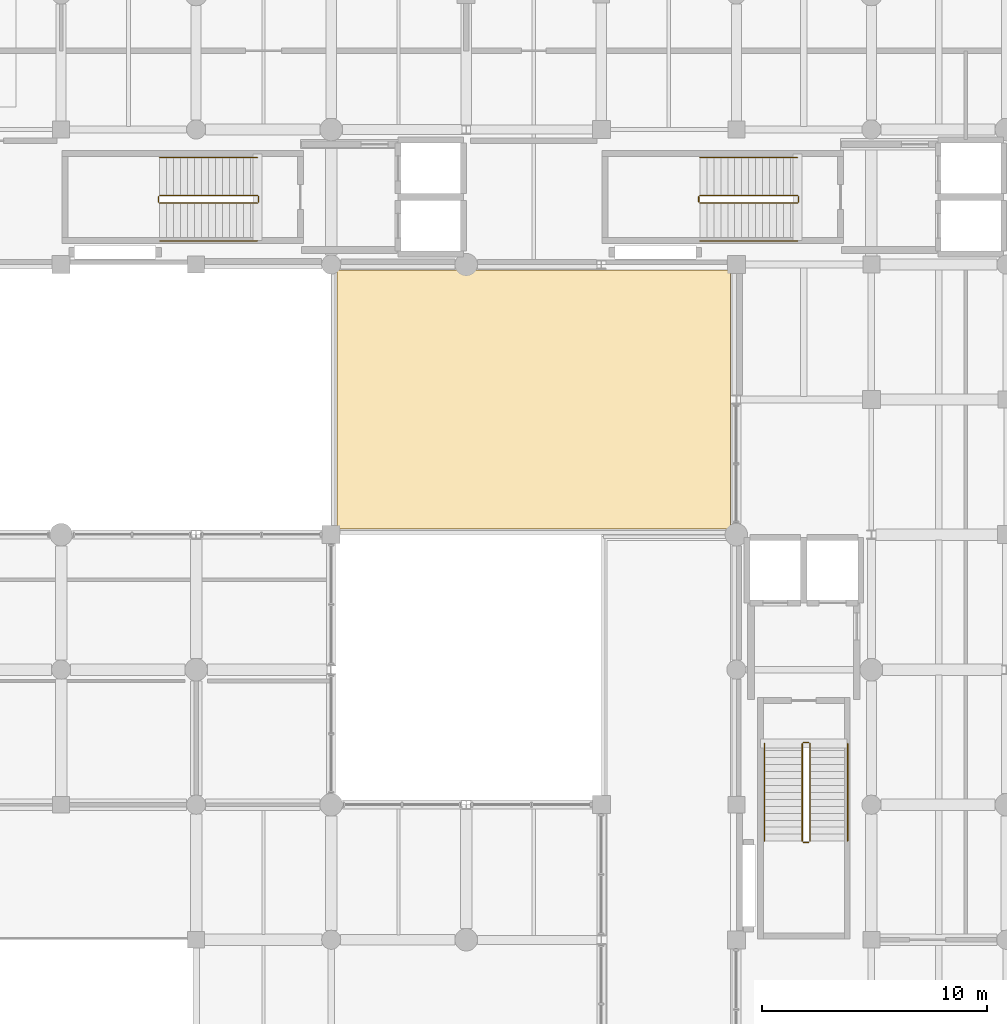
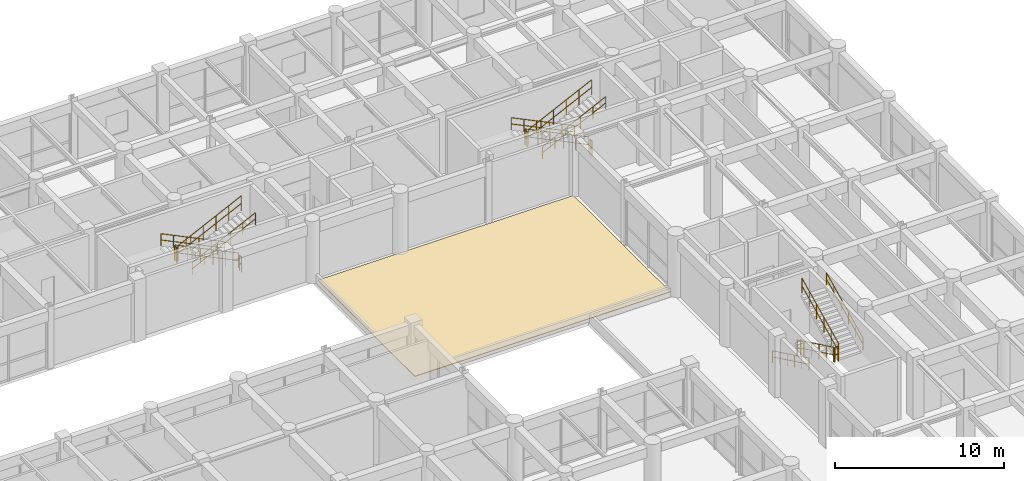
# One storey, part 133 of 133: 18 railings, 1 covering.
"""IFC4 building model written with IfcOpenShell, lengths in metres."""

from ifc_helpers import new_model, si_unit, direction, frame, origin, origin_2d, place, context, subcontext, project, spatial, polyline, circle, outline, extrude, material, layer, layer_set, type_object, element, save


model = new_model("IFC4")

# Units and contexts
model_context = context("Model", 3, precision=1e-05, world=origin(), true_north=direction((0.0, 1.0)))
body_context = subcontext(model_context, "Body", "Model", "MODEL_VIEW")
ifc_project = project(units=[si_unit("LENGTHUNIT", "METRE"), si_unit("AREAUNIT", "SQUARE_METRE"), si_unit("VOLUMEUNIT", "CUBIC_METRE"), si_unit("PLANEANGLEUNIT", "RADIAN"), si_unit("MASSUNIT", "GRAM", prefix="KILO"), si_unit("THERMODYNAMICTEMPERATUREUNIT", "KELVIN"), si_unit("POWERUNIT", "WATT")], contexts=[model_context])

# Site, building, storey
site_placement = place(None, origin())
site = spatial("IfcSite", under=ifc_project, at=site_placement, CompositionType="ELEMENT")
building_placement = place(site_placement, origin())
building = spatial("IfcBuilding", under=site, at=building_placement, Name="Phaisarnlok Congress Hotel", CompositionType="ELEMENT")
storey_placement = place(building_placement, frame((0.0, 0.0, 6.0)))
storey = spatial("IfcBuildingStorey", under=building, at=storey_placement, Name="L01", CompositionType="ELEMENT", Elevation=6.0)

# Covering
ifc_material_1 = material(Name="TPO Waterproofing Membrane & Rigid PIR Insulation", Category="other")
ifc_layer = layer(ifc_material_1, 0.050048828125, Name="TPO Waterproofing Membrane & Rigid PIR Insulation")
ifc_layer_set = layer_set([ifc_layer], Name="TPO Waterproofing Membrane & Rigid PIR Insulation")
covering_type = type_object("IfcCoveringType", Name="COV-ROOF-MEMB", PredefinedType="ROOFING", material=ifc_layer_set)
covering_placement = place(storey_placement, origin())
element("IfcCovering", 1, at=covering_placement, inside=storey, type_object=covering_type, Name="Podium roof waterproofing membrane RF-01 (L01 pod_lobby_ne)", PredefinedType="ROOFING", context=body_context, shape_type="SweptSolid", body=[
    extrude(outline(polyline([(144.25, 96.25), (161.75, 96.25), (161.75, 107.75), (144.25, 107.75), (144.25, 96.25)])), origin(), (0.0, 0.0, 1.0), 0.050048828125),
])

# Railings
ifc_material_2 = material(Name="Painted Galvanised Steel S275", Category="steel")
railing_type_1 = type_object("IfcRailingType", Name="RLG-STR-GUARD", PredefinedType="BALUSTRADE", material=ifc_material_2)
railing_1_placement = place(storey_placement, frame((164.719970703125, 111.070068359375, 0.14990234375)))
element("IfcRailing", 2, at=railing_1_placement, inside=storey, type_object=railing_type_1, Name="L01 ST-05 stair guard 1", PredefinedType="BALUSTRADE", context=body_context, shape_type="SweptSolid", body=[
    extrude(circle(Radius=0.02392578125, at=origin_2d()), frame((0.0, 0.0, 1.076171875), z_axis=(-0.900154768424, 0.0, 0.435570192832), x_axis=(0.0, -1.0, 0.0)), (0.0, 0.0, 1.0), 4.821533203125),
    extrude(circle(Radius=0.02392578125, at=origin_2d()), frame((0.0, 0.0, 0.52587890625), z_axis=(-0.900154768424, 0.0, 0.435570192832), x_axis=(0.0, -1.0, 0.0)), (0.0, 0.0, 1.0), 4.821533203125),
    extrude(circle(Radius=0.02099609375, at=origin_2d()), origin(), (0.0, 0.0, 1.0), 1.052001953125),
    extrude(circle(Radius=0.02099609375, at=origin_2d()), frame((-0.867919921875, 0.0, 0.419921875)), (0.0, 0.0, 1.0), 1.052001953125),
    extrude(circle(Radius=0.02099609375, at=origin_2d()), frame((-1.736083984375, 0.0, 0.840087890625)), (0.0, 0.0, 1.0), 1.052001953125),
    extrude(circle(Radius=0.02099609375, at=origin_2d()), frame((-2.60400390625, 0.0, 1.260009765625)), (0.0, 0.0, 1.0), 1.052001953125),
    extrude(circle(Radius=0.02099609375, at=origin_2d()), frame((-3.47216796875, 0.0, 1.68017578125)), (0.0, 0.0, 1.0), 1.052001953125),
    extrude(circle(Radius=0.02099609375, at=origin_2d()), frame((-4.340087890625, 0.0, 2.10009765625)), (0.0, 0.0, 1.0), 1.052001953125),
])
railing_2_placement = place(storey_placement, frame((160.330078125, 111.02001953125, 2.25)))
element("IfcRailing", 3, at=railing_2_placement, inside=storey, type_object=railing_type_1, Name="L01 ST-05 stair guard 2", PredefinedType="BALUSTRADE", context=body_context, shape_type="SweptSolid", body=[
    extrude(circle(Radius=0.02392578125, at=origin_2d()), frame((0.0, 0.0, 1.076171875), z_axis=(0.0, -1.0, 0.0), x_axis=(1.0, 0.0, 0.0)), (0.0, 0.0, 1.0), 0.239990234375),
    extrude(circle(Radius=0.02392578125, at=origin_2d()), frame((0.0, 0.0, 0.52587890625), z_axis=(0.0, -1.0, 0.0), x_axis=(1.0, 0.0, 0.0)), (0.0, 0.0, 1.0), 0.239990234375),
    extrude(circle(Radius=0.02099609375, at=origin_2d()), origin(), (0.0, 0.0, 1.0), 1.052001953125),
    extrude(circle(Radius=0.02099609375, at=origin_2d()), frame((0.0, -0.239990234375, 0.0)), (0.0, 0.0, 1.0), 1.052001953125),
])
railing_3_placement = place(storey_placement, frame((160.3798828125, 110.72998046875, 2.39990234375)))
element("IfcRailing", 4, at=railing_3_placement, inside=storey, type_object=railing_type_1, Name="L01 ST-05 stair guard 3", PredefinedType="BALUSTRADE", context=body_context, shape_type="SweptSolid", body=[
    extrude(circle(Radius=0.02392578125, at=origin_2d()), frame((0.0, 0.0, 1.076171875), z_axis=(0.900154768424, 0.0, 0.435570192832), x_axis=(0.0, 1.0, 0.0)), (0.0, 0.0, 1.0), 4.821533203125),
    extrude(circle(Radius=0.02392578125, at=origin_2d()), frame((0.0, 0.0, 0.52587890625), z_axis=(0.900154768424, 0.0, 0.435570192832), x_axis=(0.0, 1.0, 0.0)), (0.0, 0.0, 1.0), 4.821533203125),
    extrude(circle(Radius=0.02099609375, at=origin_2d()), origin(), (0.0, 0.0, 1.0), 1.052001953125),
    extrude(circle(Radius=0.02099609375, at=origin_2d()), frame((0.867919921875, 0.0, 0.419921875)), (0.0, 0.0, 1.0), 1.052001953125),
    extrude(circle(Radius=0.02099609375, at=origin_2d()), frame((1.736083984375, 0.0, 0.840087890625)), (0.0, 0.0, 1.0), 1.052001953125),
    extrude(circle(Radius=0.02099609375, at=origin_2d()), frame((2.60400390625, 0.0, 1.260009765625)), (0.0, 0.0, 1.0), 1.052001953125),
    extrude(circle(Radius=0.02099609375, at=origin_2d()), frame((3.47216796875, 0.0, 1.68017578125)), (0.0, 0.0, 1.0), 1.052001953125),
    extrude(circle(Radius=0.02099609375, at=origin_2d()), frame((4.340087890625, 0.0, 2.10009765625)), (0.0, 0.0, 1.0), 1.052001953125),
])
railing_4_placement = place(storey_placement, frame((164.77001953125, 111.02001953125, 0.0)))
element("IfcRailing", 5, at=railing_4_placement, inside=storey, type_object=railing_type_1, Name="L01 ST-05 stair guard 4", PredefinedType="BALUSTRADE", context=body_context, shape_type="SweptSolid", body=[
    extrude(circle(Radius=0.02392578125, at=origin_2d()), frame((0.0, 0.0, 1.076171875), z_axis=(0.0, -1.0, 0.0), x_axis=(1.0, 0.0, 0.0)), (0.0, 0.0, 1.0), 0.239990234375),
    extrude(circle(Radius=0.02392578125, at=origin_2d()), frame((0.0, 0.0, 0.52587890625), z_axis=(0.0, -1.0, 0.0), x_axis=(1.0, 0.0, 0.0)), (0.0, 0.0, 1.0), 0.239990234375),
    extrude(circle(Radius=0.02099609375, at=origin_2d()), origin(), (0.0, 0.0, 1.0), 1.052001953125),
    extrude(circle(Radius=0.02099609375, at=origin_2d()), frame((0.0, -0.239990234375, 0.0)), (0.0, 0.0, 1.0), 1.052001953125),
])
railing_5_placement = place(storey_placement, frame((140.719970703125, 111.070068359375, 0.14990234375)))
element("IfcRailing", 6, at=railing_5_placement, inside=storey, type_object=railing_type_1, Name="L01 ST-06 stair guard 1", PredefinedType="BALUSTRADE", context=body_context, shape_type="SweptSolid", body=[
    extrude(circle(Radius=0.02392578125, at=origin_2d()), frame((0.0, 0.0, 1.076171875), z_axis=(-0.900154768424, 0.0, 0.435570192832), x_axis=(0.0, -1.0, 0.0)), (0.0, 0.0, 1.0), 4.821533203125),
    extrude(circle(Radius=0.02392578125, at=origin_2d()), frame((0.0, 0.0, 0.52587890625), z_axis=(-0.900154768424, 0.0, 0.435570192832), x_axis=(0.0, -1.0, 0.0)), (0.0, 0.0, 1.0), 4.821533203125),
    extrude(circle(Radius=0.02099609375, at=origin_2d()), origin(), (0.0, 0.0, 1.0), 1.052001953125),
    extrude(circle(Radius=0.02099609375, at=origin_2d()), frame((-0.867919921875, 0.0, 0.419921875)), (0.0, 0.0, 1.0), 1.052001953125),
    extrude(circle(Radius=0.02099609375, at=origin_2d()), frame((-1.736083984375, 0.0, 0.840087890625)), (0.0, 0.0, 1.0), 1.052001953125),
    extrude(circle(Radius=0.02099609375, at=origin_2d()), frame((-2.60400390625, 0.0, 1.260009765625)), (0.0, 0.0, 1.0), 1.052001953125),
    extrude(circle(Radius=0.02099609375, at=origin_2d()), frame((-3.47216796875, 0.0, 1.68017578125)), (0.0, 0.0, 1.0), 1.052001953125),
    extrude(circle(Radius=0.02099609375, at=origin_2d()), frame((-4.340087890625, 0.0, 2.10009765625)), (0.0, 0.0, 1.0), 1.052001953125),
])
railing_6_placement = place(storey_placement, frame((136.330078125, 111.02001953125, 2.25)))
element("IfcRailing", 7, at=railing_6_placement, inside=storey, type_object=railing_type_1, Name="L01 ST-06 stair guard 2", PredefinedType="BALUSTRADE", context=body_context, shape_type="SweptSolid", body=[
    extrude(circle(Radius=0.02392578125, at=origin_2d()), frame((0.0, 0.0, 1.076171875), z_axis=(0.0, -1.0, 0.0), x_axis=(1.0, 0.0, 0.0)), (0.0, 0.0, 1.0), 0.239990234375),
    extrude(circle(Radius=0.02392578125, at=origin_2d()), frame((0.0, 0.0, 0.52587890625), z_axis=(0.0, -1.0, 0.0), x_axis=(1.0, 0.0, 0.0)), (0.0, 0.0, 1.0), 0.239990234375),
    extrude(circle(Radius=0.02099609375, at=origin_2d()), origin(), (0.0, 0.0, 1.0), 1.052001953125),
    extrude(circle(Radius=0.02099609375, at=origin_2d()), frame((0.0, -0.239990234375, 0.0)), (0.0, 0.0, 1.0), 1.052001953125),
])
railing_7_placement = place(storey_placement, frame((136.3798828125, 110.72998046875, 2.39990234375)))
element("IfcRailing", 8, at=railing_7_placement, inside=storey, type_object=railing_type_1, Name="L01 ST-06 stair guard 3", PredefinedType="BALUSTRADE", context=body_context, shape_type="SweptSolid", body=[
    extrude(circle(Radius=0.02392578125, at=origin_2d()), frame((0.0, 0.0, 1.076171875), z_axis=(0.900154768424, 0.0, 0.435570192832), x_axis=(0.0, 1.0, 0.0)), (0.0, 0.0, 1.0), 4.821533203125),
    extrude(circle(Radius=0.02392578125, at=origin_2d()), frame((0.0, 0.0, 0.52587890625), z_axis=(0.900154768424, 0.0, 0.435570192832), x_axis=(0.0, 1.0, 0.0)), (0.0, 0.0, 1.0), 4.821533203125),
    extrude(circle(Radius=0.02099609375, at=origin_2d()), origin(), (0.0, 0.0, 1.0), 1.052001953125),
    extrude(circle(Radius=0.02099609375, at=origin_2d()), frame((0.867919921875, 0.0, 0.419921875)), (0.0, 0.0, 1.0), 1.052001953125),
    extrude(circle(Radius=0.02099609375, at=origin_2d()), frame((1.736083984375, 0.0, 0.840087890625)), (0.0, 0.0, 1.0), 1.052001953125),
    extrude(circle(Radius=0.02099609375, at=origin_2d()), frame((2.60400390625, 0.0, 1.260009765625)), (0.0, 0.0, 1.0), 1.052001953125),
    extrude(circle(Radius=0.02099609375, at=origin_2d()), frame((3.47216796875, 0.0, 1.68017578125)), (0.0, 0.0, 1.0), 1.052001953125),
    extrude(circle(Radius=0.02099609375, at=origin_2d()), frame((4.340087890625, 0.0, 2.10009765625)), (0.0, 0.0, 1.0), 1.052001953125),
])
railing_8_placement = place(storey_placement, frame((140.77001953125, 111.02001953125, 0.0)))
element("IfcRailing", 9, at=railing_8_placement, inside=storey, type_object=railing_type_1, Name="L01 ST-06 stair guard 4", PredefinedType="BALUSTRADE", context=body_context, shape_type="SweptSolid", body=[
    extrude(circle(Radius=0.02392578125, at=origin_2d()), frame((0.0, 0.0, 1.076171875), z_axis=(0.0, -1.0, 0.0), x_axis=(1.0, 0.0, 0.0)), (0.0, 0.0, 1.0), 0.239990234375),
    extrude(circle(Radius=0.02392578125, at=origin_2d()), frame((0.0, 0.0, 0.52587890625), z_axis=(0.0, -1.0, 0.0), x_axis=(1.0, 0.0, 0.0)), (0.0, 0.0, 1.0), 0.239990234375),
    extrude(circle(Radius=0.02099609375, at=origin_2d()), origin(), (0.0, 0.0, 1.0), 1.052001953125),
    extrude(circle(Radius=0.02099609375, at=origin_2d()), frame((0.0, -0.239990234375, 0.0)), (0.0, 0.0, 1.0), 1.052001953125),
])
railing_9_placement = place(storey_placement, frame((164.929931640625, 86.719970703125, 0.14990234375)))
element("IfcRailing", 10, at=railing_9_placement, inside=storey, type_object=railing_type_1, Name="L01 ST-09 stair guard 1", PredefinedType="BALUSTRADE", context=body_context, shape_type="SweptSolid", body=[
    extrude(circle(Radius=0.02392578125, at=origin_2d()), frame((0.0, 0.0, 1.076171875), z_axis=(0.0, -0.900154768424, 0.435570192832), x_axis=(1.0, 0.0, 0.0)), (0.0, 0.0, 1.0), 4.821533203125),
    extrude(circle(Radius=0.02392578125, at=origin_2d()), frame((0.0, 0.0, 0.52587890625), z_axis=(0.0, -0.900154768424, 0.435570192832), x_axis=(1.0, 0.0, 0.0)), (0.0, 0.0, 1.0), 4.821533203125),
    extrude(circle(Radius=0.02099609375, at=origin_2d()), origin(), (0.0, 0.0, 1.0), 1.052001953125),
    extrude(circle(Radius=0.02099609375, at=origin_2d()), frame((0.0, -0.867919921875, 0.419921875)), (0.0, 0.0, 1.0), 1.052001953125),
    extrude(circle(Radius=0.02099609375, at=origin_2d()), frame((0.0, -1.736083984375, 0.840087890625)), (0.0, 0.0, 1.0), 1.052001953125),
    extrude(circle(Radius=0.02099609375, at=origin_2d()), frame((0.0, -2.60400390625, 1.260009765625)), (0.0, 0.0, 1.0), 1.052001953125),
    extrude(circle(Radius=0.02099609375, at=origin_2d()), frame((0.0, -3.47216796875, 1.68017578125)), (0.0, 0.0, 1.0), 1.052001953125),
    extrude(circle(Radius=0.02099609375, at=origin_2d()), frame((0.0, -4.340087890625, 2.10009765625)), (0.0, 0.0, 1.0), 1.052001953125),
])
railing_10_placement = place(storey_placement, frame((164.97998046875, 82.330078125, 2.25)))
element("IfcRailing", 11, at=railing_10_placement, inside=storey, type_object=railing_type_1, Name="L01 ST-09 stair guard 2", PredefinedType="BALUSTRADE", context=body_context, shape_type="SweptSolid", body=[
    extrude(circle(Radius=0.02392578125, at=origin_2d()), frame((0.0, 0.0, 1.076171875), z_axis=(1.0, 0.0, 0.0), x_axis=(0.0, 1.0, 0.0)), (0.0, 0.0, 1.0), 0.239990234375),
    extrude(circle(Radius=0.02392578125, at=origin_2d()), frame((0.0, 0.0, 0.52587890625), z_axis=(1.0, 0.0, 0.0), x_axis=(0.0, 1.0, 0.0)), (0.0, 0.0, 1.0), 0.239990234375),
    extrude(circle(Radius=0.02099609375, at=origin_2d()), origin(), (0.0, 0.0, 1.0), 1.052001953125),
    extrude(circle(Radius=0.02099609375, at=origin_2d()), frame((0.239990234375, 0.0, 0.0)), (0.0, 0.0, 1.0), 1.052001953125),
])
railing_11_placement = place(storey_placement, frame((165.27001953125, 82.3798828125, 2.39990234375)))
element("IfcRailing", 12, at=railing_11_placement, inside=storey, type_object=railing_type_1, Name="L01 ST-09 stair guard 3", PredefinedType="BALUSTRADE", context=body_context, shape_type="SweptSolid", body=[
    extrude(circle(Radius=0.02392578125, at=origin_2d()), frame((0.0, 0.0, 1.076171875), z_axis=(0.0, 0.900154768424, 0.435570192832), x_axis=(-1.0, 0.0, 0.0)), (0.0, 0.0, 1.0), 4.821533203125),
    extrude(circle(Radius=0.02392578125, at=origin_2d()), frame((0.0, 0.0, 0.52587890625), z_axis=(0.0, 0.900154768424, 0.435570192832), x_axis=(-1.0, 0.0, 0.0)), (0.0, 0.0, 1.0), 4.821533203125),
    extrude(circle(Radius=0.02099609375, at=origin_2d()), origin(), (0.0, 0.0, 1.0), 1.052001953125),
    extrude(circle(Radius=0.02099609375, at=origin_2d()), frame((0.0, 0.867919921875, 0.419921875)), (0.0, 0.0, 1.0), 1.052001953125),
    extrude(circle(Radius=0.02099609375, at=origin_2d()), frame((0.0, 1.736083984375, 0.840087890625)), (0.0, 0.0, 1.0), 1.052001953125),
    extrude(circle(Radius=0.02099609375, at=origin_2d()), frame((0.0, 2.60400390625, 1.260009765625)), (0.0, 0.0, 1.0), 1.052001953125),
    extrude(circle(Radius=0.02099609375, at=origin_2d()), frame((0.0, 3.47216796875, 1.68017578125)), (0.0, 0.0, 1.0), 1.052001953125),
    extrude(circle(Radius=0.02099609375, at=origin_2d()), frame((0.0, 4.340087890625, 2.10009765625)), (0.0, 0.0, 1.0), 1.052001953125),
])
railing_12_placement = place(storey_placement, frame((164.97998046875, 86.77001953125, 0.0)))
element("IfcRailing", 13, at=railing_12_placement, inside=storey, type_object=railing_type_1, Name="L01 ST-09 stair guard 4", PredefinedType="BALUSTRADE", context=body_context, shape_type="SweptSolid", body=[
    extrude(circle(Radius=0.02392578125, at=origin_2d()), frame((0.0, 0.0, 1.076171875), z_axis=(1.0, 0.0, 0.0), x_axis=(0.0, 1.0, 0.0)), (0.0, 0.0, 1.0), 0.239990234375),
    extrude(circle(Radius=0.02392578125, at=origin_2d()), frame((0.0, 0.0, 0.52587890625), z_axis=(1.0, 0.0, 0.0), x_axis=(0.0, 1.0, 0.0)), (0.0, 0.0, 1.0), 0.239990234375),
    extrude(circle(Radius=0.02099609375, at=origin_2d()), origin(), (0.0, 0.0, 1.0), 1.052001953125),
    extrude(circle(Radius=0.02099609375, at=origin_2d()), frame((0.239990234375, 0.0, 0.0)), (0.0, 0.0, 1.0), 1.052001953125),
])
ifc_material_3 = material(Name="Brushed Stainless Steel Grade 304", Category="steel")
railing_type_2 = type_object("IfcRailingType", Name="RLG-STR-HRAIL", PredefinedType="HANDRAIL", material=ifc_material_3)
railing_13_placement = place(storey_placement, frame((164.719970703125, 112.75, 0.14990234375)))
element("IfcRailing", 14, at=railing_13_placement, inside=storey, type_object=railing_type_2, Name="L01 ST-05 stair handrail 1", PredefinedType="HANDRAIL", context=body_context, shape_type="SweptSolid", body=[
    extrude(circle(Radius=0.02392578125, at=origin_2d()), frame((0.0, 0.0, 0.8759765625), z_axis=(-0.900154768424, 0.0, 0.435570192832), x_axis=(0.0, -1.0, 0.0)), (0.0, 0.0, 1.0), 4.821533203125),
    extrude(circle(Radius=0.02392578125, at=origin_2d()), frame((0.0, 0.0, 0.42578125), z_axis=(-0.900154768424, 0.0, 0.435570192832), x_axis=(0.0, -1.0, 0.0)), (0.0, 0.0, 1.0), 4.821533203125),
    extrude(circle(Radius=0.02099609375, at=origin_2d()), origin(), (0.0, 0.0, 1.0), 0.851806640625),
    extrude(circle(Radius=0.02099609375, at=origin_2d()), frame((-0.867919921875, 0.0, 0.419921875)), (0.0, 0.0, 1.0), 0.851806640625),
    extrude(circle(Radius=0.02099609375, at=origin_2d()), frame((-1.736083984375, 0.0, 0.840087890625)), (0.0, 0.0, 1.0), 0.851806640625),
    extrude(circle(Radius=0.02099609375, at=origin_2d()), frame((-2.60400390625, 0.0, 1.260009765625)), (0.0, 0.0, 1.0), 0.851806640625),
    extrude(circle(Radius=0.02099609375, at=origin_2d()), frame((-3.47216796875, 0.0, 1.68017578125)), (0.0, 0.0, 1.0), 0.851806640625),
    extrude(circle(Radius=0.02099609375, at=origin_2d()), frame((-4.340087890625, 0.0, 2.10009765625)), (0.0, 0.0, 1.0), 0.851806640625),
])
railing_14_placement = place(storey_placement, frame((160.3798828125, 109.050048828125, 2.39990234375)))
element("IfcRailing", 15, at=railing_14_placement, inside=storey, type_object=railing_type_2, Name="L01 ST-05 stair handrail 2", PredefinedType="HANDRAIL", context=body_context, shape_type="SweptSolid", body=[
    extrude(circle(Radius=0.02392578125, at=origin_2d()), frame((0.0, 0.0, 0.8759765625), z_axis=(0.900154768424, 0.0, 0.435570192832), x_axis=(0.0, 1.0, 0.0)), (0.0, 0.0, 1.0), 4.821533203125),
    extrude(circle(Radius=0.02392578125, at=origin_2d()), frame((0.0, 0.0, 0.42578125), z_axis=(0.900154768424, 0.0, 0.435570192832), x_axis=(0.0, 1.0, 0.0)), (0.0, 0.0, 1.0), 4.821533203125),
    extrude(circle(Radius=0.02099609375, at=origin_2d()), origin(), (0.0, 0.0, 1.0), 0.851806640625),
    extrude(circle(Radius=0.02099609375, at=origin_2d()), frame((0.867919921875, 0.0, 0.419921875)), (0.0, 0.0, 1.0), 0.851806640625),
    extrude(circle(Radius=0.02099609375, at=origin_2d()), frame((1.736083984375, 0.0, 0.840087890625)), (0.0, 0.0, 1.0), 0.851806640625),
    extrude(circle(Radius=0.02099609375, at=origin_2d()), frame((2.60400390625, 0.0, 1.260009765625)), (0.0, 0.0, 1.0), 0.851806640625),
    extrude(circle(Radius=0.02099609375, at=origin_2d()), frame((3.47216796875, 0.0, 1.68017578125)), (0.0, 0.0, 1.0), 0.851806640625),
    extrude(circle(Radius=0.02099609375, at=origin_2d()), frame((4.340087890625, 0.0, 2.10009765625)), (0.0, 0.0, 1.0), 0.851806640625),
])
railing_15_placement = place(storey_placement, frame((140.719970703125, 112.75, 0.14990234375)))
element("IfcRailing", 16, at=railing_15_placement, inside=storey, type_object=railing_type_2, Name="L01 ST-06 stair handrail 1", PredefinedType="HANDRAIL", context=body_context, shape_type="SweptSolid", body=[
    extrude(circle(Radius=0.02392578125, at=origin_2d()), frame((0.0, 0.0, 0.8759765625), z_axis=(-0.900154768424, 0.0, 0.435570192832), x_axis=(0.0, -1.0, 0.0)), (0.0, 0.0, 1.0), 4.821533203125),
    extrude(circle(Radius=0.02392578125, at=origin_2d()), frame((0.0, 0.0, 0.42578125), z_axis=(-0.900154768424, 0.0, 0.435570192832), x_axis=(0.0, -1.0, 0.0)), (0.0, 0.0, 1.0), 4.821533203125),
    extrude(circle(Radius=0.02099609375, at=origin_2d()), origin(), (0.0, 0.0, 1.0), 0.851806640625),
    extrude(circle(Radius=0.02099609375, at=origin_2d()), frame((-0.867919921875, 0.0, 0.419921875)), (0.0, 0.0, 1.0), 0.851806640625),
    extrude(circle(Radius=0.02099609375, at=origin_2d()), frame((-1.736083984375, 0.0, 0.840087890625)), (0.0, 0.0, 1.0), 0.851806640625),
    extrude(circle(Radius=0.02099609375, at=origin_2d()), frame((-2.60400390625, 0.0, 1.260009765625)), (0.0, 0.0, 1.0), 0.851806640625),
    extrude(circle(Radius=0.02099609375, at=origin_2d()), frame((-3.47216796875, 0.0, 1.68017578125)), (0.0, 0.0, 1.0), 0.851806640625),
    extrude(circle(Radius=0.02099609375, at=origin_2d()), frame((-4.340087890625, 0.0, 2.10009765625)), (0.0, 0.0, 1.0), 0.851806640625),
])
railing_16_placement = place(storey_placement, frame((136.3798828125, 109.050048828125, 2.39990234375)))
element("IfcRailing", 17, at=railing_16_placement, inside=storey, type_object=railing_type_2, Name="L01 ST-06 stair handrail 2", PredefinedType="HANDRAIL", context=body_context, shape_type="SweptSolid", body=[
    extrude(circle(Radius=0.02392578125, at=origin_2d()), frame((0.0, 0.0, 0.8759765625), z_axis=(0.900154768424, 0.0, 0.435570192832), x_axis=(0.0, 1.0, 0.0)), (0.0, 0.0, 1.0), 4.821533203125),
    extrude(circle(Radius=0.02392578125, at=origin_2d()), frame((0.0, 0.0, 0.42578125), z_axis=(0.900154768424, 0.0, 0.435570192832), x_axis=(0.0, 1.0, 0.0)), (0.0, 0.0, 1.0), 4.821533203125),
    extrude(circle(Radius=0.02099609375, at=origin_2d()), origin(), (0.0, 0.0, 1.0), 0.851806640625),
    extrude(circle(Radius=0.02099609375, at=origin_2d()), frame((0.867919921875, 0.0, 0.419921875)), (0.0, 0.0, 1.0), 0.851806640625),
    extrude(circle(Radius=0.02099609375, at=origin_2d()), frame((1.736083984375, 0.0, 0.840087890625)), (0.0, 0.0, 1.0), 0.851806640625),
    extrude(circle(Radius=0.02099609375, at=origin_2d()), frame((2.60400390625, 0.0, 1.260009765625)), (0.0, 0.0, 1.0), 0.851806640625),
    extrude(circle(Radius=0.02099609375, at=origin_2d()), frame((3.47216796875, 0.0, 1.68017578125)), (0.0, 0.0, 1.0), 0.851806640625),
    extrude(circle(Radius=0.02099609375, at=origin_2d()), frame((4.340087890625, 0.0, 2.10009765625)), (0.0, 0.0, 1.0), 0.851806640625),
])
railing_17_placement = place(storey_placement, frame((163.25, 86.719970703125, 0.14990234375)))
element("IfcRailing", 18, at=railing_17_placement, inside=storey, type_object=railing_type_2, Name="L01 ST-09 stair handrail 1", PredefinedType="HANDRAIL", context=body_context, shape_type="SweptSolid", body=[
    extrude(circle(Radius=0.02392578125, at=origin_2d()), frame((0.0, 0.0, 0.8759765625), z_axis=(0.0, -0.900154768424, 0.435570192832), x_axis=(1.0, 0.0, 0.0)), (0.0, 0.0, 1.0), 4.821533203125),
    extrude(circle(Radius=0.02392578125, at=origin_2d()), frame((0.0, 0.0, 0.42578125), z_axis=(0.0, -0.900154768424, 0.435570192832), x_axis=(1.0, 0.0, 0.0)), (0.0, 0.0, 1.0), 4.821533203125),
    extrude(circle(Radius=0.02099609375, at=origin_2d()), origin(), (0.0, 0.0, 1.0), 0.851806640625),
    extrude(circle(Radius=0.02099609375, at=origin_2d()), frame((0.0, -0.867919921875, 0.419921875)), (0.0, 0.0, 1.0), 0.851806640625),
    extrude(circle(Radius=0.02099609375, at=origin_2d()), frame((0.0, -1.736083984375, 0.840087890625)), (0.0, 0.0, 1.0), 0.851806640625),
    extrude(circle(Radius=0.02099609375, at=origin_2d()), frame((0.0, -2.60400390625, 1.260009765625)), (0.0, 0.0, 1.0), 0.851806640625),
    extrude(circle(Radius=0.02099609375, at=origin_2d()), frame((0.0, -3.47216796875, 1.68017578125)), (0.0, 0.0, 1.0), 0.851806640625),
    extrude(circle(Radius=0.02099609375, at=origin_2d()), frame((0.0, -4.340087890625, 2.10009765625)), (0.0, 0.0, 1.0), 0.851806640625),
])
railing_18_placement = place(storey_placement, frame((166.949951171875, 82.3798828125, 2.39990234375)))
element("IfcRailing", 19, at=railing_18_placement, inside=storey, type_object=railing_type_2, Name="L01 ST-09 stair handrail 2", PredefinedType="HANDRAIL", context=body_context, shape_type="SweptSolid", body=[
    extrude(circle(Radius=0.02392578125, at=origin_2d()), frame((0.0, 0.0, 0.8759765625), z_axis=(0.0, 0.900154768424, 0.435570192832), x_axis=(-1.0, 0.0, 0.0)), (0.0, 0.0, 1.0), 4.821533203125),
    extrude(circle(Radius=0.02392578125, at=origin_2d()), frame((0.0, 0.0, 0.42578125), z_axis=(0.0, 0.900154768424, 0.435570192832), x_axis=(-1.0, 0.0, 0.0)), (0.0, 0.0, 1.0), 4.821533203125),
    extrude(circle(Radius=0.02099609375, at=origin_2d()), origin(), (0.0, 0.0, 1.0), 0.851806640625),
    extrude(circle(Radius=0.02099609375, at=origin_2d()), frame((0.0, 0.867919921875, 0.419921875)), (0.0, 0.0, 1.0), 0.851806640625),
    extrude(circle(Radius=0.02099609375, at=origin_2d()), frame((0.0, 1.736083984375, 0.840087890625)), (0.0, 0.0, 1.0), 0.851806640625),
    extrude(circle(Radius=0.02099609375, at=origin_2d()), frame((0.0, 2.60400390625, 1.260009765625)), (0.0, 0.0, 1.0), 0.851806640625),
    extrude(circle(Radius=0.02099609375, at=origin_2d()), frame((0.0, 3.47216796875, 1.68017578125)), (0.0, 0.0, 1.0), 0.851806640625),
    extrude(circle(Radius=0.02099609375, at=origin_2d()), frame((0.0, 4.340087890625, 2.10009765625)), (0.0, 0.0, 1.0), 0.851806640625),
])

save(model, "model.ifc")
